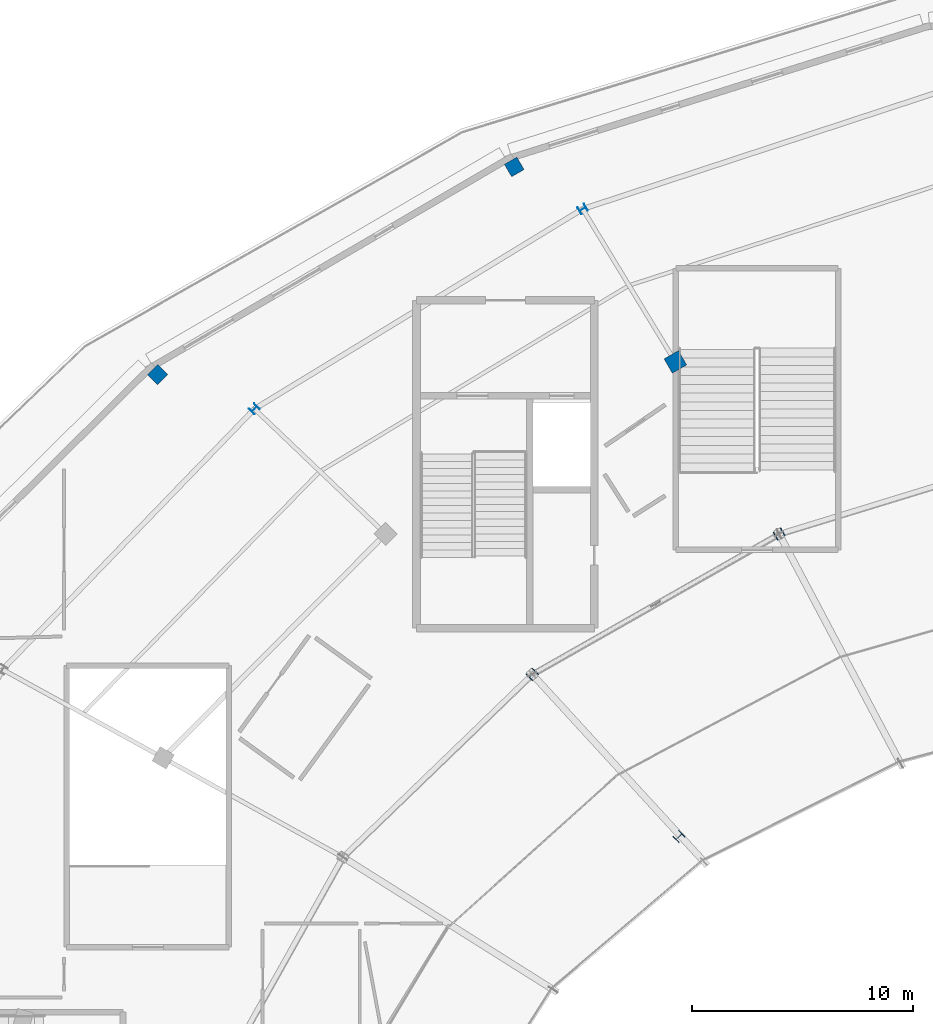
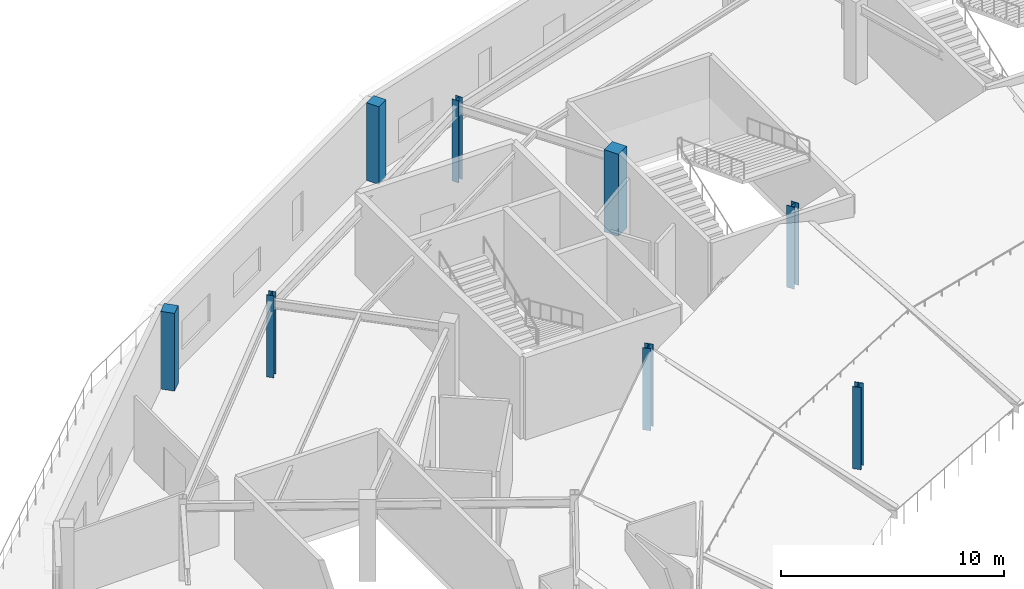
# One storey, part 7 of 63: 8 columns.
"""IFC4 building model written with IfcOpenShell, lengths in metres."""

from ifc_helpers import new_model, si_unit, direction, frame, origin, origin_2d, place, context, subcontext, project, spatial, rectangle, i_section, extrude, material, material_profile, profile_set, type_object, element, save


model = new_model("IFC4")

# Units and contexts
model_context = context("Model", 3, precision=1e-05, world=origin(), true_north=direction((0.0, 1.0)))
body_context = subcontext(model_context, "Body", "Model", "MODEL_VIEW")
ifc_project = project(units=[si_unit("LENGTHUNIT", "METRE"), si_unit("AREAUNIT", "SQUARE_METRE"), si_unit("VOLUMEUNIT", "CUBIC_METRE"), si_unit("PLANEANGLEUNIT", "RADIAN"), si_unit("MASSUNIT", "GRAM", prefix="KILO")], contexts=[model_context])

# Site, building, storey
site_placement = place(None, origin())
site = spatial("IfcSite", under=ifc_project, at=site_placement, CompositionType="ELEMENT")
building_placement = place(site_placement, origin())
building = spatial("IfcBuilding", under=site, at=building_placement, Name="Kalgoora Escarpment Arena", CompositionType="ELEMENT")
storey_placement = place(building_placement, frame((0.0, 0.0, 14.39990234375)))
storey = spatial("IfcBuildingStorey", under=building, at=storey_placement, Name="L03", CompositionType="ELEMENT", Elevation=14.39990234375)

# Columns
ifc_material_1 = material(Name="Structural steel Grade 350 (350 MPa)", Category="steel")
ifc_material_profile_1 = material_profile(ifc_material_1, i_section(OverallWidth=0.35009765625, OverallDepth=0.35009765625, WebThickness=0.013916015625, FlangeThickness=0.02392578125, at=origin_2d()))
ifc_profile_set_1 = profile_set([ifc_material_profile_1], Name="Structural steel Grade 350 (350 MPa)")
column_type_1 = type_object("IfcColumnType", Name="COL-COL-350WC197", PredefinedType="COLUMN", material=ifc_profile_set_1)
for number, where, z_axis, x_axis, name in (
    (1, (56.5, 113.36328125, 0.0), (0.0, 0.0, 1.0), (-0.5, 0.866025403784, 0.0), "L03 structural column COL-RCONC2-R09"),
    (2, (41.629638671875, 104.30517578125, 0.0), (0.0, 0.0, 1.0), (-0.707106781187, 0.707106781187, 0.0), "L03 structural column COL-RCONC2-R10"),
):
    element("IfcColumn", number, at=place(storey_placement, frame(where, z_axis=z_axis, x_axis=x_axis)), inside=storey, type_object=column_type_1, Name=name, PredefinedType="COLUMN", context=body_context, shape_type="SweptSolid", body=[
        extrude(i_section(OverallWidth=0.35009765625, OverallDepth=0.35009765625, WebThickness=0.013916015625, FlangeThickness=0.02392578125, at=origin_2d()), origin(), (0.0, 0.0, 1.0), 4.5),
    ])
ifc_material_2 = material(Name="Structural steel Grade 350 (350 MPa)", Category="steel")
ifc_material_profile_2 = material_profile(ifc_material_2, i_section(OverallWidth=0.39990234375, OverallDepth=0.39990234375, WebThickness=0.01611328125, FlangeThickness=0.028076171875, at=origin_2d()))
ifc_profile_set_2 = profile_set([ifc_material_profile_2], Name="Structural steel Grade 350 (350 MPa)")
column_type_2 = type_object("IfcColumnType", Name="COL-COL-400WC212", PredefinedType="COLUMN", material=ifc_profile_set_2)
for number, where, z_axis, x_axis, name in (
    (3, (65.39990234375, 98.64111328125, 0.0), (0.0, 0.0, 1.0), (-0.5, 0.866025403784, 0.0), "L03 structural column COL-RMAIN-R09"),
    (4, (54.21630859375, 92.2841796875, 0.0), (0.0, 0.0, 1.0), (-0.707106781187, 0.707106781187, 0.0), "L03 structural column COL-RMAIN-R10"),
    (5, (60.863037109375, 84.930419921875, 0.0), (0.0, 0.0, 1.0), (-0.707106781187, 0.707106781187, 0.0), "L03 structural column COL-TSPINE-S04"),
):
    element("IfcColumn", number, at=place(storey_placement, frame(where, z_axis=z_axis, x_axis=x_axis)), inside=storey, type_object=column_type_2, Name=name, PredefinedType="COLUMN", context=body_context, shape_type="SweptSolid", body=[
        extrude(i_section(OverallWidth=0.39990234375, OverallDepth=0.39990234375, WebThickness=0.01611328125, FlangeThickness=0.028076171875, at=origin_2d()), origin(), (0.0, 0.0, 1.0), 4.5),
    ])
ifc_material_3 = material(Name="Concrete N50 (fc' 50 MPa)", Category="concrete")
ifc_material_profile_3 = material_profile(ifc_material_3, rectangle(XDim=0.64990234375, YDim=0.64990234375, at=origin_2d()))
ifc_profile_set_3 = profile_set([ifc_material_profile_3], Name="Concrete N50 (fc' 50 MPa)")
column_type_3 = type_object("IfcColumnType", Name="COL-COL-RC650x650", PredefinedType="COLUMN", material=ifc_profile_set_3)
for number, where, z_axis, x_axis, name in (
    (6, (53.39990234375, 115.268798828125, 0.0), (0.0, 0.0, 1.0), (-0.5, 0.866025403784, 0.0), "L03 structural column COL-RBASE1-R09"),
    (7, (37.24560546875, 105.860595703125, 0.0), (0.0, 0.0, 1.0), (-0.707106781187, 0.707106781187, 0.0), "L03 structural column COL-RBASE1-R10"),
):
    element("IfcColumn", number, at=place(storey_placement, frame(where, z_axis=z_axis, x_axis=x_axis)), inside=storey, type_object=column_type_3, Name=name, PredefinedType="COLUMN", context=body_context, shape_type="SweptSolid", body=[
        extrude(rectangle(XDim=0.64990234375, YDim=0.64990234375, at=origin_2d()), origin(), (0.0, 0.0, 1.0), 4.260009765625),
    ])
ifc_material_4 = material(Name="Concrete N50 (fc' 50 MPa)", Category="concrete")
ifc_material_profile_4 = material_profile(ifc_material_4, rectangle(XDim=0.75, YDim=0.75, at=origin_2d()))
ifc_profile_set_4 = profile_set([ifc_material_profile_4], Name="Concrete N50 (fc' 50 MPa)")
column_type_4 = type_object("IfcColumnType", Name="COL-COL-RC750x750", PredefinedType="COLUMN", material=ifc_profile_set_4)
column_placement = place(storey_placement, frame((60.699951171875, 106.435302734375, 0.0), z_axis=(0.0, 0.0, 1.0), x_axis=(-0.5, 0.866025403784, 0.0)))
element("IfcColumn", 8, at=column_placement, inside=storey, type_object=column_type_4, Name="L03 structural column COL-RCONC1-R09", PredefinedType="COLUMN", context=body_context, shape_type="SweptSolid", body=[
    extrude(rectangle(XDim=0.75, YDim=0.75, at=origin_2d()), origin(), (0.0, 0.0, 1.0), 4.5),
])

save(model, "model.ifc")
